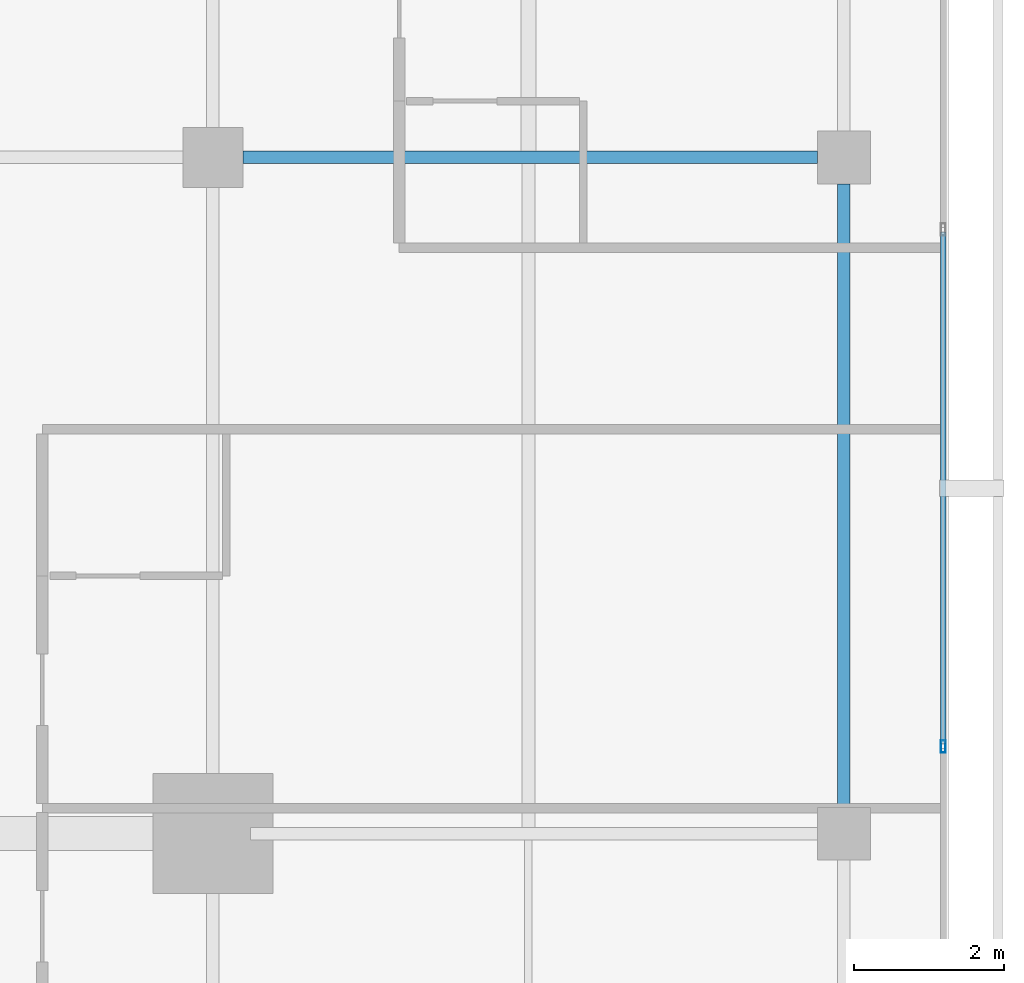
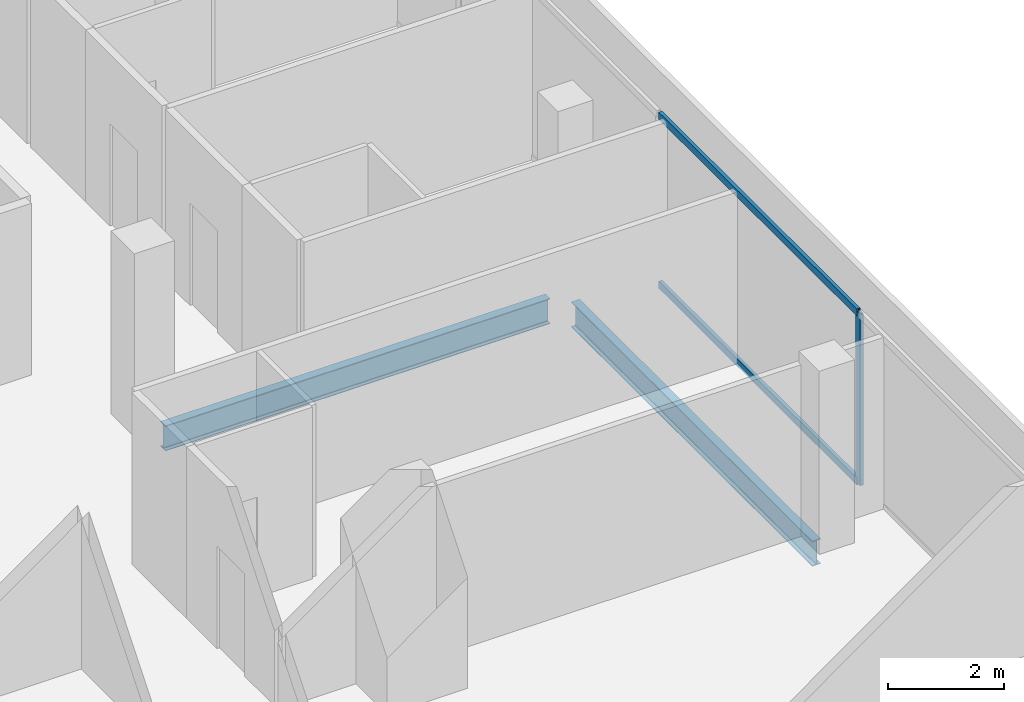
# One storey, part 14 of 26: 3 members, 2 beams, 1 element without a shape of its own.
"""IFC4 building model written with IfcOpenShell, lengths in metres."""

import ifcopenshell
import ifcopenshell.guid

model = None  # the IFC model being written
_history = None  # IfcOwnerHistory: only IFC2X3 demands one
_inside = {}  # id of a spatial element -> (the spatial element, [elements in it])
_under = {}  # id of a project, library or spatial element -> (it, [spatial elements below it])
_declared = {}  # id of a project -> (the project, [libraries it declares])
_typed = {}  # id of a type object -> (the type object, [elements of that type])
_made_of = {}  # id of a material, layer set ... -> (it, [elements and type objects made of it])


def new_model(schema):
    """Start an empty IFC model of exactly this schema.

    Asked for "IFC4X3", IfcOpenShell would pick the latest addendum, in which some entities
    have other attributes; the version numbers below select the first issue.
    IFC2X3 requires an IfcOwnerHistory on every rooted entity: one is made here for all.
    """
    global model, _history
    if schema == "IFC4X3":
        model = ifcopenshell.file(schema_version=(4, 3, 0, 0))
    else:
        model = ifcopenshell.file(schema=schema)
    _inside.clear()
    _under.clear()
    _declared.clear()
    _typed.clear()
    _made_of.clear()
    _history = None
    if model.schema == "IFC2X3":
        org = make("IfcOrganization", Name="unknown")
        user = make(
            "IfcPersonAndOrganization",
            ThePerson=make("IfcPerson", FamilyName="unknown"),
            TheOrganization=org,
        )
        app = make(
            "IfcApplication",
            ApplicationDeveloper=org,
            Version="unknown",
            ApplicationFullName="unknown",
            ApplicationIdentifier="unknown",
        )
        _history = make(
            "IfcOwnerHistory",
            OwningUser=user,
            OwningApplication=app,
            ChangeAction="ADDED",
            CreationDate=0,
        )
    return model


def make(cls, **values):
    """One entity of the class cls with the attributes given. An attribute that is None is left unset."""
    return model.create_entity(
        cls, **{name: value for name, value in values.items() if value is not None}
    )


def rooted(cls, **values):
    """An entity with a GlobalId (a new one), such as an element, a storey or a relation."""
    return make(cls, GlobalId=ifcopenshell.guid.new(), OwnerHistory=_history, **values)


def si_unit(unit_type, name, prefix=None):
    """IfcSIUnit, for example si_unit("LENGTHUNIT", "METRE", prefix="MILLI")."""
    return make("IfcSIUnit", UnitType=unit_type, Prefix=prefix, Name=name)


def assignment(units):
    """IfcUnitAssignment: the units of a project."""
    return None if units is None else make("IfcUnitAssignment", Units=units)


def point(xyz):
    """IfcCartesianPoint."""
    return None if xyz is None else make("IfcCartesianPoint", Coordinates=xyz)


def direction(xyz):
    """IfcDirection."""
    return None if xyz is None else make("IfcDirection", DirectionRatios=xyz)


def frame(location, z_axis=None, x_axis=None):
    """IfcAxis2Placement3D, a coordinate frame: its origin and axes. An axis left out is left unset."""
    return make(
        "IfcAxis2Placement3D",
        Location=point(location),
        Axis=direction(z_axis),
        RefDirection=direction(x_axis),
    )


def frame_2d(location, x_axis=None):
    """IfcAxis2Placement2D, a coordinate frame in the plane: its origin and x axis."""
    return make(
        "IfcAxis2Placement2D", Location=point(location), RefDirection=direction(x_axis)
    )


def origin():
    """The frame at (0, 0, 0) with its axes left unset."""
    return frame((0.0, 0.0, 0.0))


def origin_2d():
    """The frame at (0, 0) in the plane with its x axis left unset."""
    return frame_2d((0.0, 0.0))


def place(relative_to, where):
    """IfcLocalPlacement: puts the frame where relative to a parent placement (None: the world)."""
    return make(
        "IfcLocalPlacement", PlacementRelTo=relative_to, RelativePlacement=where
    )


def context(
    kind, dimensions, precision=None, world=None, true_north=None, identifier=None
):
    """IfcGeometricRepresentationContext, for example the 3D "Model" context."""
    return make(
        "IfcGeometricRepresentationContext",
        ContextIdentifier=identifier,
        ContextType=kind,
        CoordinateSpaceDimension=dimensions,
        Precision=precision,
        WorldCoordinateSystem=world,
        TrueNorth=true_north,
    )


def subcontext(parent, identifier, kind, view, scale=None):
    """IfcGeometricRepresentationSubContext, for example "Body" below "Model"."""
    return make(
        "IfcGeometricRepresentationSubContext",
        ContextIdentifier=identifier,
        ContextType=kind,
        ParentContext=parent,
        TargetScale=scale,
        TargetView=view,
    )


def project(units=None, contexts=None):
    """IfcProject with its units and contexts."""
    return rooted(
        "IfcProject",
        Name="project",
        RepresentationContexts=contexts,
        UnitsInContext=assignment(units),
    )


def spatial(cls, under=None, at=None, **own):
    """A site, building, storey or space (cls), placed at a placement, below another one or the project."""
    s = rooted(cls, ObjectPlacement=at, **own)
    if under is not None:
        _under.setdefault(under.id(), (under, []))[1].append(s)
    return s


def profile(cls, at=None, kind="AREA", **sizes):
    """A parametric profile (cls). Its sizes go by their IFC names, for example OverallWidth=200.0."""
    return make(cls, ProfileType=kind, Position=at, **sizes)


def hollow_rectangle(**sizes):
    """IfcRectangleHollowProfileDef."""
    return profile("IfcRectangleHollowProfileDef", **sizes)


def i_section(**sizes):
    """IfcIShapeProfileDef."""
    return profile("IfcIShapeProfileDef", **sizes)


def extrude(swept, where, along, depth):
    """IfcExtrudedAreaSolid: the profile swept, set in the frame where, extruded along a direction by depth."""
    return make(
        "IfcExtrudedAreaSolid",
        SweptArea=swept,
        Position=where,
        ExtrudedDirection=direction(along),
        Depth=depth,
    )


def shape(context_of_items, identifier, shape_type, items):
    """IfcShapeRepresentation: the items that make up one representation, for example the "Body"."""
    return make(
        "IfcShapeRepresentation",
        ContextOfItems=context_of_items,
        RepresentationIdentifier=identifier,
        RepresentationType=shape_type,
        Items=items,
    )


def material(Name=None, Category=None):
    """IfcMaterial."""
    return make("IfcMaterial", Name=Name, Category=Category)


def layer(
    of_material, thickness, ventilated=None, Name=None, Category=None, Priority=None
):
    """IfcMaterialLayer: one layer of a wall or slab, of a material (None: an air gap)."""
    return make(
        "IfcMaterialLayer",
        Material=of_material,
        LayerThickness=thickness,
        IsVentilated=ventilated,
        Name=Name,
        Category=Category,
        Priority=Priority,
    )


def layer_set(layers, Name=None):
    """IfcMaterialLayerSet."""
    return make("IfcMaterialLayerSet", MaterialLayers=layers, LayerSetName=Name)


def material_profile(
    of_material, cross_section, Name=None, Category=None, Priority=None
):
    """IfcMaterialProfile: a cross section and its material."""
    return make(
        "IfcMaterialProfile",
        Name=Name,
        Material=of_material,
        Profile=cross_section,
        Priority=Priority,
        Category=Category,
    )


def profile_set(profiles, Name=None, composite=None):
    """IfcMaterialProfileSet."""
    return make(
        "IfcMaterialProfileSet",
        Name=Name,
        MaterialProfiles=profiles,
        CompositeProfile=composite,
    )


def made_of(thing, what):
    """Note that an element or type object is made of a material, layer set ...; save() writes the relation."""
    if what is not None:
        _made_of.setdefault(what.id(), (what, []))[1].append(thing)
    return thing


def type_object(cls, material=None, **own):
    """A type object (cls), such as IfcWallType, which elements share."""
    return made_of(rooted(cls, **own), material)


def element(
    cls,
    number,
    at=None,
    inside=None,
    cuts=None,
    type_object=None,
    material=None,
    context=None,
    identifier="Body",
    shape_type=None,
    held_by="IfcProductDefinitionShape",
    body=None,
    shapes=None,
    **own,
):
    """One element of the class cls, such as IfcWall. Its Tag is "e" and its number.

    at: its placement. inside: the storey or other place that contains it. cuts: it is an
    opening in that element (IfcRelVoidsElement). A single representation is given by context,
    identifier, shape_type and body (its items); several are given by shapes. held_by: the class
    of the entity that holds the representations. save() writes the other relations.
    """
    e = rooted(cls, Tag="e%d" % number, ObjectPlacement=at, **own)
    if body is not None:
        shapes = [shape(context, identifier, shape_type, body)]
    if shapes is not None:
        e.Representation = make(held_by, Representations=shapes)
    if inside is not None:
        _inside.setdefault(inside.id(), (inside, []))[1].append(e)
    if cuts is not None:
        rooted(
            "IfcRelVoidsElement", RelatingBuildingElement=cuts, RelatedOpeningElement=e
        )
    if type_object is not None:
        _typed.setdefault(type_object.id(), (type_object, []))[1].append(e)
    return made_of(e, material)


def aggregate(whole, parts):
    """IfcRelAggregates: a whole, such as a stair, and the parts it consists of."""
    return rooted("IfcRelAggregates", RelatingObject=whole, RelatedObjects=parts)


def save(model, path):
    """Write the relations noted so far, then the file.

    IfcRelAggregates (storeys below a building ...), IfcRelContainedInSpatialStructure (elements
    in a storey), IfcRelDefinesByType, IfcRelAssociatesMaterial and IfcRelDeclares: one each for
    every whole, place, type object, material and project.
    """
    for whole, parts in _under.values():
        aggregate(whole, parts)
    for where, things in _inside.values():
        rooted(
            "IfcRelContainedInSpatialStructure",
            RelatedElements=things,
            RelatingStructure=where,
        )
    for kind, things in _typed.values():
        rooted("IfcRelDefinesByType", RelatedObjects=things, RelatingType=kind)
    for what, things in _made_of.values():
        rooted("IfcRelAssociatesMaterial", RelatedObjects=things, RelatingMaterial=what)
    for by, libraries in _declared.values():
        rooted("IfcRelDeclares", RelatingContext=by, RelatedDefinitions=libraries)
    model.write(path)


model = new_model("IFC4")

# Units and contexts
model_context = context("Model", 3, precision=1e-05, world=origin(), true_north=direction((0.0, 1.0)))
body_context = subcontext(model_context, "Body", "Model", "MODEL_VIEW")
ifc_project = project(units=[si_unit("LENGTHUNIT", "METRE"), si_unit("AREAUNIT", "SQUARE_METRE"), si_unit("VOLUMEUNIT", "CUBIC_METRE"), si_unit("PLANEANGLEUNIT", "RADIAN"), si_unit("MASSUNIT", "GRAM", prefix="KILO")], contexts=[model_context])

# Site, building, storey
site_placement = place(None, origin())
site = spatial("IfcSite", under=ifc_project, at=site_placement, CompositionType="ELEMENT")
building_placement = place(site_placement, origin())
building = spatial("IfcBuilding", under=site, at=building_placement, Name="Maruvema Waterfront Hotel and Observation Tower", CompositionType="ELEMENT")
storey_placement = place(building_placement, frame((0.0, 0.0, 293.300048828125)))
storey = spatial("IfcBuildingStorey", under=building, at=storey_placement, Name="L72", CompositionType="ELEMENT", Elevation=293.300048828125)

# Curtain wall, members
ifc_material_1 = material(Name="Anodised bronze aluminium and solar-control low-E IGU", Category="aluminium")
ifc_layer = layer(ifc_material_1, 0.159912109375, Name="Zone 3 Champagne Inner Thermal Curtain Wall System CW-04")
ifc_layer_set = layer_set([ifc_layer], Name="Anodised bronze aluminium and solar-control low-E IGU")
curtain_wall_type = type_object("IfcCurtainWallType", Name="Zone 3 Champagne Inner Thermal Curtain Wall System CW-04", PredefinedType="USERDEFINED", material=ifc_layer_set)
curtain_wall_placement = place(storey_placement, origin())
curtain_wall = element("IfcCurtainWall", 1, at=curtain_wall_placement, inside=storey, type_object=curtain_wall_type, Name="L72 Curtain Wall CW-L72-E", ObjectType="UNITISED CURTAIN WALL", PredefinedType="USERDEFINED")
ifc_material_2 = material(Name="Anodised architectural bronze aluminium", Category="aluminium")
ifc_material_profile_1 = material_profile(ifc_material_2, hollow_rectangle(XDim=0.070068359375, YDim=0.14990234375, WallThickness=0.00390625, at=origin_2d()), Name="ALU-T70x150")
ifc_profile_set_1 = profile_set([ifc_material_profile_1], Name="Anodised architectural bronze aluminium")
member_type_1 = type_object("IfcMemberType", Name="Curtain Wall Horizontal Transom ALU-T70x150", PredefinedType="USERDEFINED", material=ifc_profile_set_1)
member_1_placement = place(storey_placement, frame((60.1201171875, 28.18994140625, 0.030029296875), z_axis=(0.0, 1.0, 0.0), x_axis=(-1.0, 0.0, 0.0)))
member_1 = element("IfcMember", 2, at=member_1_placement, type_object=member_type_1, Name="CW-04 transom 3.1", ObjectType="TRANSOM", PredefinedType="USERDEFINED", context=body_context, shape_type="SweptSolid", body=[
    extrude(hollow_rectangle(XDim=0.070068359375, YDim=0.14990234375, WallThickness=0.00390625, at=origin_2d()), origin(), (0.0, 0.0, 1.0), 6.820068359375),
])
member_2_placement = place(storey_placement, frame((60.1201171875, 28.18994140625, 3.579833984375), z_axis=(0.0, 1.0, 0.0), x_axis=(-1.0, 0.0, 0.0)))
member_2 = element("IfcMember", 3, at=member_2_placement, type_object=member_type_1, Name="CW-04 transom 3.2", ObjectType="TRANSOM", PredefinedType="USERDEFINED", context=body_context, shape_type="SweptSolid", body=[
    extrude(hollow_rectangle(XDim=0.070068359375, YDim=0.14990234375, WallThickness=0.00390625, at=origin_2d()), origin(), (0.0, 0.0, 1.0), 6.820068359375),
])
ifc_material_3 = material(Name="Anodised architectural bronze aluminium", Category="aluminium")
ifc_material_profile_2 = material_profile(ifc_material_3, hollow_rectangle(XDim=0.06494140625, YDim=0.1650390625, WallThickness=0.00390625, at=origin_2d()), Name="ALU-M65x165")
ifc_profile_set_2 = profile_set([ifc_material_profile_2], Name="Anodised architectural bronze aluminium")
member_type_2 = type_object("IfcMemberType", Name="Curtain Wall Primary Mullion ALU-M65x165", PredefinedType="MULLION", material=ifc_profile_set_2)
member_3_placement = place(storey_placement, frame((60.1201171875, 28.159912109375, 0.0), z_axis=(0.0, 0.0, 1.0), x_axis=(-1.0, 0.0, 0.0)))
member_3 = element("IfcMember", 4, at=member_3_placement, type_object=member_type_2, Name="CW-04 mullion 3", PredefinedType="MULLION", context=body_context, shape_type="SweptSolid", body=[
    extrude(hollow_rectangle(XDim=0.06494140625, YDim=0.1650390625, WallThickness=0.00390625, at=origin_2d()), origin(), (0.0, 0.0, 1.0), 3.60986328125),
])
aggregate(curtain_wall, [member_3, member_1, member_2])

# Beams
ifc_material_4 = material(Name="Steel ASTM A572 Grade 50", Category="steel")
ifc_material_profile_3 = material_profile(ifc_material_4, i_section(OverallWidth=0.166015625, OverallDepth=0.529052734375, WebThickness=0.009765625, FlangeThickness=0.013671875, FilletRadius=0.014892578125, at=origin_2d()), Name="W530x74.0")
ifc_profile_set_3 = profile_set([ifc_material_profile_3], Name="Steel ASTM A572 Grade 50")
beam_type = type_object("IfcBeamType", Name="Primary Floor Girder W530x74.0", PredefinedType="BEAM", material=ifc_profile_set_3)
beam_1_placement = place(storey_placement, frame((50.800048828125, 36.0, -0.504638671875), z_axis=(1.0, 0.0, 0.0), x_axis=(0.0, 1.0, 0.0)))
element("IfcBeam", 5, at=beam_1_placement, inside=storey, type_object=beam_type, Name="L72 Floor Girder EW-16", PredefinedType="BEAM", context=body_context, shape_type="SweptSolid", body=[
    extrude(i_section(OverallWidth=0.166015625, OverallDepth=0.529052734375, WebThickness=0.009765625, FlangeThickness=0.013671875, FilletRadius=0.014892578125, at=origin_2d()), origin(), (0.0, 0.0, 1.0), 7.64990234375),
])
beam_2_placement = place(storey_placement, frame((58.800048828125, 27.35009765625, -0.504638671875), z_axis=(0.0, 1.0, 0.0), x_axis=(-1.0, 0.0, 0.0)))
element("IfcBeam", 6, at=beam_2_placement, inside=storey, type_object=beam_type, Name="L72 Floor Girder NS-17", PredefinedType="BEAM", context=body_context, shape_type="SweptSolid", body=[
    extrude(i_section(OverallWidth=0.166015625, OverallDepth=0.529052734375, WebThickness=0.009765625, FlangeThickness=0.013671875, FilletRadius=0.014892578125, at=origin_2d()), origin(), (0.0, 0.0, 1.0), 8.2998046875),
])

save(model, "model.ifc")
